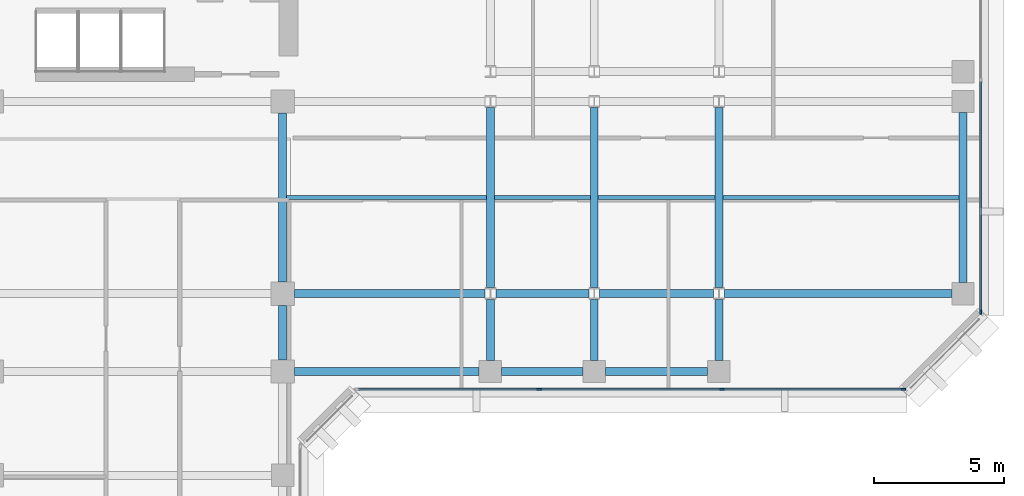
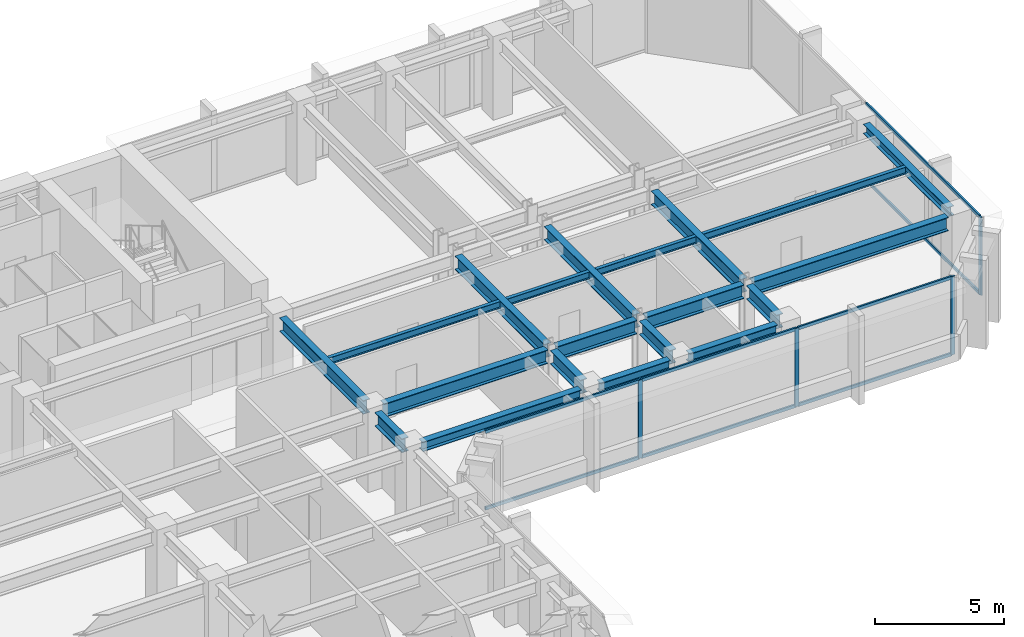
# One storey, part 3 of 12: 20 beams, 12 members, 2 elements without a shape of their own.
"""IFC4 building model written with IfcOpenShell, lengths in metres."""

from ifc_helpers import new_model, si_unit, direction, frame, origin, origin_2d, place, context, subcontext, project, spatial, rectangle, i_section, extrude, material, layer, layer_set, material_profile, profile_set, type_object, element, aggregate, save


model = new_model("IFC4")

# Units and contexts
model_context = context("Model", 3, precision=1e-05, world=origin(), true_north=direction((0.0, 1.0)))
body_context = subcontext(model_context, "Body", "Model", "MODEL_VIEW")
ifc_project = project(units=[si_unit("LENGTHUNIT", "METRE"), si_unit("AREAUNIT", "SQUARE_METRE"), si_unit("VOLUMEUNIT", "CUBIC_METRE"), si_unit("PLANEANGLEUNIT", "RADIAN"), si_unit("MASSUNIT", "GRAM", prefix="KILO")], contexts=[model_context])

# Site, building, storey
site_placement = place(None, origin())
site = spatial("IfcSite", under=ifc_project, at=site_placement, CompositionType="ELEMENT")
building_placement = place(site_placement, origin())
building = spatial("IfcBuilding", under=site, at=building_placement, Name="Kefirva Bronze Tower", CompositionType="ELEMENT")
storey_placement = place(building_placement, frame((0.0, 0.0, 126.389892578125)))
storey = spatial("IfcBuildingStorey", under=building, at=storey_placement, Name="L30", CompositionType="ELEMENT", Elevation=126.389892578125)

# Curtain wall, members
ifc_material_1 = material(Name="Bronze anodised aluminium", Category="aluminium")
ifc_layer = layer(ifc_material_1, 0.199951171875, Name="Bronze anodised aluminium")
ifc_layer_set = layer_set([ifc_layer], Name="Bronze anodised aluminium")
curtain_wall_type = type_object("IfcCurtainWallType", Name="Unitised Bronze Ribbon Curtain Wall Zone 2", PredefinedType="USERDEFINED", material=ifc_layer_set)
curtain_wall_1_placement = place(storey_placement, origin())
curtain_wall_1 = element("IfcCurtainWall", 1, at=curtain_wall_1_placement, inside=storey, type_object=curtain_wall_type, Name="L30 Curtain Wall 3", ObjectType="UNITISED CURTAIN WALL", PredefinedType="USERDEFINED")
ifc_material_profile_1 = material_profile(ifc_material_1, rectangle(XDim=0.074951171875, YDim=0.179931640625, at=origin_2d()), Name="ALU 75x180")
ifc_profile_set_1 = profile_set([ifc_material_profile_1], Name="Bronze anodised aluminium")
member_type_1 = type_object("IfcMemberType", Name="Bronze Mullion 75x180", PredefinedType="MULLION", material=ifc_profile_set_1)
member_1_placement = place(storey_placement, frame((33.0849609375, 22.1201171875, 0.0), z_axis=(0.0, 0.0, 1.0), x_axis=(0.0, 1.0, 0.0)))
member_1 = element("IfcMember", 2, at=member_1_placement, type_object=member_type_1, Name="CW-02 mullion 2", PredefinedType="MULLION", context=body_context, shape_type="SweptSolid", body=[
    extrude(rectangle(XDim=0.074951171875, YDim=0.179931640625, at=origin_2d()), origin(), (0.0, 0.0, 1.0), 3.710205078125),
])
member_2_placement = place(storey_placement, frame((40.114990234375, 22.1201171875, 0.0), z_axis=(0.0, 0.0, 1.0), x_axis=(0.0, 1.0, 0.0)))
member_2 = element("IfcMember", 3, at=member_2_placement, type_object=member_type_1, Name="CW-02 mullion 3", PredefinedType="MULLION", context=body_context, shape_type="SweptSolid", body=[
    extrude(rectangle(XDim=0.074951171875, YDim=0.179931640625, at=origin_2d()), origin(), (0.0, 0.0, 1.0), 3.710205078125),
])
member_3_placement = place(storey_placement, frame((47.107421875, 22.1201171875, 0.0), z_axis=(0.0, 0.0, 1.0), x_axis=(0.0, 1.0, 0.0)))
member_3 = element("IfcMember", 4, at=member_3_placement, type_object=member_type_1, Name="CW-02 mullion 4", PredefinedType="MULLION", context=body_context, shape_type="SweptSolid", body=[
    extrude(rectangle(XDim=0.074951171875, YDim=0.179931640625, at=origin_2d()), origin(), (0.0, 0.0, 1.0), 3.710205078125),
])

# Curtain wall, member
curtain_wall_2_placement = place(storey_placement, origin())
curtain_wall_2 = element("IfcCurtainWall", 5, at=curtain_wall_2_placement, inside=storey, type_object=curtain_wall_type, Name="L30 Curtain Wall 4", ObjectType="UNITISED CURTAIN WALL", PredefinedType="USERDEFINED")
member_4_placement = place(storey_placement, frame((50.080078125, 25.092529296875, 0.0), z_axis=(0.0, 0.0, 1.0), x_axis=(-1.0, 0.0, 0.0)))
member_4 = element("IfcMember", 6, at=member_4_placement, type_object=member_type_1, Name="CW-02 mullion 1", PredefinedType="MULLION", context=body_context, shape_type="SweptSolid", body=[
    extrude(rectangle(XDim=0.074951171875, YDim=0.179931640625, at=origin_2d()), origin(), (0.0, 0.0, 1.0), 3.710205078125),
])

# Member
ifc_material_profile_2 = material_profile(ifc_material_1, rectangle(XDim=0.074951171875, YDim=0.14990234375, at=origin_2d()), Name="ALU 75x150")
ifc_profile_set_2 = profile_set([ifc_material_profile_2], Name="Bronze anodised aluminium")
member_type_2 = type_object("IfcMemberType", Name="Bronze Transom 75x150", PredefinedType="USERDEFINED", material=ifc_profile_set_2)
member_5_placement = place(storey_placement, frame((26.1298828125, 22.1201171875, 0.03759765625), z_axis=(1.0, 0.0, 0.0), x_axis=(0.0, 1.0, 0.0)))
member_5 = element("IfcMember", 7, at=member_5_placement, type_object=member_type_2, Name="CW-02 transom 1.1", ObjectType="TRANSOM", PredefinedType="USERDEFINED", context=body_context, shape_type="SweptSolid", body=[
    extrude(rectangle(XDim=0.074951171875, YDim=0.14990234375, at=origin_2d()), origin(), (0.0, 0.0, 1.0), 6.917724609375),
])

member_6_placement = place(storey_placement, frame((26.1298828125, 22.1201171875, 3.672607421875), z_axis=(1.0, 0.0, 0.0), x_axis=(0.0, 1.0, 0.0)))
member_6 = element("IfcMember", 8, at=member_6_placement, type_object=member_type_2, Name="CW-02 transom 1.2", ObjectType="TRANSOM", PredefinedType="USERDEFINED", context=body_context, shape_type="SweptSolid", body=[
    extrude(rectangle(XDim=0.074951171875, YDim=0.14990234375, at=origin_2d()), origin(), (0.0, 0.0, 1.0), 6.917724609375),
])

member_7_placement = place(storey_placement, frame((33.12255859375, 22.1201171875, 0.03759765625), z_axis=(1.0, 0.0, 0.0), x_axis=(0.0, 1.0, 0.0)))
member_7 = element("IfcMember", 9, at=member_7_placement, type_object=member_type_2, Name="CW-02 transom 2.1", ObjectType="TRANSOM", PredefinedType="USERDEFINED", context=body_context, shape_type="SweptSolid", body=[
    extrude(rectangle(XDim=0.074951171875, YDim=0.14990234375, at=origin_2d()), origin(), (0.0, 0.0, 1.0), 6.954833984375),
])

member_8_placement = place(storey_placement, frame((33.12255859375, 22.1201171875, 3.672607421875), z_axis=(1.0, 0.0, 0.0), x_axis=(0.0, 1.0, 0.0)))
member_8 = element("IfcMember", 10, at=member_8_placement, type_object=member_type_2, Name="CW-02 transom 2.2", ObjectType="TRANSOM", PredefinedType="USERDEFINED", context=body_context, shape_type="SweptSolid", body=[
    extrude(rectangle(XDim=0.074951171875, YDim=0.14990234375, at=origin_2d()), origin(), (0.0, 0.0, 1.0), 6.954833984375),
])

member_9_placement = place(storey_placement, frame((40.152587890625, 22.1201171875, 0.03759765625), z_axis=(1.0, 0.0, 0.0), x_axis=(0.0, 1.0, 0.0)))
member_9 = element("IfcMember", 11, at=member_9_placement, type_object=member_type_2, Name="CW-02 transom 3.1", ObjectType="TRANSOM", PredefinedType="USERDEFINED", context=body_context, shape_type="SweptSolid", body=[
    extrude(rectangle(XDim=0.074951171875, YDim=0.14990234375, at=origin_2d()), origin(), (0.0, 0.0, 1.0), 6.91748046875),
])

member_10_placement = place(storey_placement, frame((40.152587890625, 22.1201171875, 3.672607421875), z_axis=(1.0, 0.0, 0.0), x_axis=(0.0, 1.0, 0.0)))
member_10 = element("IfcMember", 12, at=member_10_placement, type_object=member_type_2, Name="CW-02 transom 3.2", ObjectType="TRANSOM", PredefinedType="USERDEFINED", context=body_context, shape_type="SweptSolid", body=[
    extrude(rectangle(XDim=0.074951171875, YDim=0.14990234375, at=origin_2d()), origin(), (0.0, 0.0, 1.0), 6.91748046875),
])

aggregate(curtain_wall_1, [member_1, member_2, member_3, member_5, member_6, member_7, member_8, member_9, member_10])

member_11_placement = place(storey_placement, frame((50.080078125, 25.1298828125, 0.03759765625), z_axis=(0.0, 1.0, 0.0), x_axis=(-1.0, 0.0, 0.0)))
member_11 = element("IfcMember", 13, at=member_11_placement, type_object=member_type_2, Name="CW-02 transom 1.1", ObjectType="TRANSOM", PredefinedType="USERDEFINED", context=body_context, shape_type="SweptSolid", body=[
    extrude(rectangle(XDim=0.074951171875, YDim=0.14990234375, at=origin_2d()), origin(), (0.0, 0.0, 1.0), 8.83251953125),
])

member_12_placement = place(storey_placement, frame((50.080078125, 25.1298828125, 3.672607421875), z_axis=(0.0, 1.0, 0.0), x_axis=(-1.0, 0.0, 0.0)))
member_12 = element("IfcMember", 14, at=member_12_placement, type_object=member_type_2, Name="CW-02 transom 1.2", ObjectType="TRANSOM", PredefinedType="USERDEFINED", context=body_context, shape_type="SweptSolid", body=[
    extrude(rectangle(XDim=0.074951171875, YDim=0.14990234375, at=origin_2d()), origin(), (0.0, 0.0, 1.0), 8.83251953125),
])

aggregate(curtain_wall_2, [member_4, member_11, member_12])

# Beams
ifc_material_2 = material(Name="Steel S355", Category="steel")
ifc_material_profile_3 = material_profile(ifc_material_2, i_section(OverallWidth=0.159912109375, OverallDepth=0.330078125, WebThickness=0.007568359375, FlangeThickness=0.011474609375, at=origin_2d()), Name="IPE 330")
ifc_profile_set_3 = profile_set([ifc_material_profile_3], Name="Steel S355")
beam_type_1 = type_object("IfcBeamType", Name="Steel Floor Joist IPE 330", PredefinedType="JOIST", material=ifc_profile_set_3)
beam_1_placement = place(storey_placement, frame((23.35009765625, 29.5, 3.545166015625), z_axis=(1.0, 0.0, 0.0), x_axis=(0.0, 1.0, 0.0)))
element("IfcBeam", 15, at=beam_1_placement, inside=storey, type_object=beam_type_1, Name="L30 JST-L30-23-295", PredefinedType="JOIST", context=body_context, shape_type="SweptSolid", body=[
    extrude(i_section(OverallWidth=0.159912109375, OverallDepth=0.330078125, WebThickness=0.007568359375, FlangeThickness=0.011474609375, at=origin_2d()), origin(), (0.0, 0.0, 1.0), 7.699951171875),
])
beam_2_placement = place(storey_placement, frame((31.35009765625, 29.5, 3.545166015625), z_axis=(1.0, 0.0, 0.0), x_axis=(0.0, 1.0, 0.0)))
element("IfcBeam", 16, at=beam_2_placement, inside=storey, type_object=beam_type_1, Name="L30 JST-L30-31-295", PredefinedType="JOIST", context=body_context, shape_type="SweptSolid", body=[
    extrude(i_section(OverallWidth=0.159912109375, OverallDepth=0.330078125, WebThickness=0.007568359375, FlangeThickness=0.011474609375, at=origin_2d()), origin(), (0.0, 0.0, 1.0), 3.699951171875),
])
beam_3_placement = place(storey_placement, frame((35.35009765625, 29.5, 3.545166015625), z_axis=(1.0, 0.0, 0.0), x_axis=(0.0, 1.0, 0.0)))
element("IfcBeam", 17, at=beam_3_placement, inside=storey, type_object=beam_type_1, Name="L30 JST-L30-35-295", PredefinedType="JOIST", context=body_context, shape_type="SweptSolid", body=[
    extrude(i_section(OverallWidth=0.159912109375, OverallDepth=0.330078125, WebThickness=0.007568359375, FlangeThickness=0.011474609375, at=origin_2d()), origin(), (0.0, 0.0, 1.0), 4.5),
])
beam_4_placement = place(storey_placement, frame((40.14990234375, 29.5, 3.545166015625), z_axis=(1.0, 0.0, 0.0), x_axis=(0.0, 1.0, 0.0)))
element("IfcBeam", 18, at=beam_4_placement, inside=storey, type_object=beam_type_1, Name="L30 JST-L30-40-295", PredefinedType="JOIST", context=body_context, shape_type="SweptSolid", body=[
    extrude(i_section(OverallWidth=0.159912109375, OverallDepth=0.330078125, WebThickness=0.007568359375, FlangeThickness=0.011474609375, at=origin_2d()), origin(), (0.0, 0.0, 1.0), 9.10009765625),
])
ifc_material_profile_4 = material_profile(ifc_material_2, i_section(OverallWidth=0.300048828125, OverallDepth=0.64990234375, WebThickness=0.01611328125, FlangeThickness=0.031005859375, at=origin_2d()), Name="HEB 650")
ifc_profile_set_4 = profile_set([ifc_material_profile_4], Name="Steel S355")
beam_type_2 = type_object("IfcBeamType", Name="Steel Girder HEB 650", PredefinedType="USERDEFINED", material=ifc_profile_set_4)
beam_5_placement = place(storey_placement, frame((23.64990234375, 25.800048828125, 3.385009765625), z_axis=(1.0, 0.0, 0.0), x_axis=(0.0, 1.0, 0.0)))
element("IfcBeam", 19, at=beam_5_placement, inside=storey, type_object=beam_type_2, Name="L30 BM-L30-EW-23-258", ObjectType="GIRDER", PredefinedType="USERDEFINED", context=body_context, shape_type="SweptSolid", body=[
    extrude(i_section(OverallWidth=0.300048828125, OverallDepth=0.64990234375, WebThickness=0.01611328125, FlangeThickness=0.031005859375, at=origin_2d()), origin(), (0.0, 0.0, 1.0), 7.341064453125),
])
beam_6_placement = place(storey_placement, frame((31.408935546875, 25.800048828125, 3.385009765625), z_axis=(1.0, 0.0, 0.0), x_axis=(0.0, 1.0, 0.0)))
element("IfcBeam", 20, at=beam_6_placement, inside=storey, type_object=beam_type_2, Name="L30 BM-L30-EW-31-258", ObjectType="GIRDER", PredefinedType="USERDEFINED", context=body_context, shape_type="SweptSolid", body=[
    extrude(i_section(OverallWidth=0.300048828125, OverallDepth=0.64990234375, WebThickness=0.01611328125, FlangeThickness=0.031005859375, at=origin_2d()), origin(), (0.0, 0.0, 1.0), 3.58203125),
])
beam_7_placement = place(storey_placement, frame((35.408935546875, 25.800048828125, 3.385009765625), z_axis=(1.0, 0.0, 0.0), x_axis=(0.0, 1.0, 0.0)))
element("IfcBeam", 21, at=beam_7_placement, inside=storey, type_object=beam_type_2, Name="L30 BM-L30-EW-35-258", ObjectType="GIRDER", PredefinedType="USERDEFINED", context=body_context, shape_type="SweptSolid", body=[
    extrude(i_section(OverallWidth=0.300048828125, OverallDepth=0.64990234375, WebThickness=0.01611328125, FlangeThickness=0.031005859375, at=origin_2d()), origin(), (0.0, 0.0, 1.0), 4.382080078125),
])
beam_8_placement = place(storey_placement, frame((40.208984375, 25.800048828125, 3.385009765625), z_axis=(1.0, 0.0, 0.0), x_axis=(0.0, 1.0, 0.0)))
element("IfcBeam", 22, at=beam_8_placement, inside=storey, type_object=beam_type_2, Name="L30 BM-L30-EW-40-258", ObjectType="GIRDER", PredefinedType="USERDEFINED", context=body_context, shape_type="SweptSolid", body=[
    extrude(i_section(OverallWidth=0.300048828125, OverallDepth=0.64990234375, WebThickness=0.01611328125, FlangeThickness=0.031005859375, at=origin_2d()), origin(), (0.0, 0.0, 1.0), 8.760986328125),
])
beam_9_placement = place(storey_placement, frame((23.199951171875, 23.25, 3.385009765625), z_axis=(0.0, 1.0, 0.0), x_axis=(-1.0, 0.0, 0.0)))
element("IfcBeam", 23, at=beam_9_placement, inside=storey, type_object=beam_type_2, Name="L30 BM-L30-NS-232-22", ObjectType="GIRDER", PredefinedType="USERDEFINED", context=body_context, shape_type="SweptSolid", body=[
    extrude(i_section(OverallWidth=0.300048828125, OverallDepth=0.64990234375, WebThickness=0.01611328125, FlangeThickness=0.031005859375, at=origin_2d()), origin(), (0.0, 0.0, 1.0), 2.10009765625),
])
beam_10_placement = place(storey_placement, frame((23.199951171875, 26.25, 3.385009765625), z_axis=(0.0, 1.0, 0.0), x_axis=(-1.0, 0.0, 0.0)))
element("IfcBeam", 24, at=beam_10_placement, inside=storey, type_object=beam_type_2, Name="L30 BM-L30-NS-232-25", ObjectType="GIRDER", PredefinedType="USERDEFINED", context=body_context, shape_type="SweptSolid", body=[
    extrude(i_section(OverallWidth=0.300048828125, OverallDepth=0.64990234375, WebThickness=0.01611328125, FlangeThickness=0.031005859375, at=origin_2d()), origin(), (0.0, 0.0, 1.0), 6.5),
])
beam_11_placement = place(storey_placement, frame((31.199951171875, 23.22998046875, 3.385009765625), z_axis=(0.0, 1.0, 0.0), x_axis=(-1.0, 0.0, 0.0)))
element("IfcBeam", 25, at=beam_11_placement, inside=storey, type_object=beam_type_2, Name="L30 BM-L30-NS-312-22", ObjectType="GIRDER", PredefinedType="USERDEFINED", context=body_context, shape_type="SweptSolid", body=[
    extrude(i_section(OverallWidth=0.300048828125, OverallDepth=0.64990234375, WebThickness=0.01611328125, FlangeThickness=0.031005859375, at=origin_2d()), origin(), (0.0, 0.0, 1.0), 2.342529296875),
])
beam_12_placement = place(storey_placement, frame((31.199951171875, 26.027587890625, 3.385009765625), z_axis=(0.0, 1.0, 0.0), x_axis=(-1.0, 0.0, 0.0)))
element("IfcBeam", 26, at=beam_12_placement, inside=storey, type_object=beam_type_2, Name="L30 BM-L30-NS-312-25", ObjectType="GIRDER", PredefinedType="USERDEFINED", context=body_context, shape_type="SweptSolid", body=[
    extrude(i_section(OverallWidth=0.300048828125, OverallDepth=0.64990234375, WebThickness=0.01611328125, FlangeThickness=0.031005859375, at=origin_2d()), origin(), (0.0, 0.0, 1.0), 6.94482421875),
])
beam_13_placement = place(storey_placement, frame((35.199951171875, 23.22998046875, 3.385009765625), z_axis=(0.0, 1.0, 0.0), x_axis=(-1.0, 0.0, 0.0)))
element("IfcBeam", 27, at=beam_13_placement, inside=storey, type_object=beam_type_2, Name="L30 BM-L30-NS-352-22", ObjectType="GIRDER", PredefinedType="USERDEFINED", context=body_context, shape_type="SweptSolid", body=[
    extrude(i_section(OverallWidth=0.300048828125, OverallDepth=0.64990234375, WebThickness=0.01611328125, FlangeThickness=0.031005859375, at=origin_2d()), origin(), (0.0, 0.0, 1.0), 2.342529296875),
])
beam_14_placement = place(storey_placement, frame((35.199951171875, 26.027587890625, 3.385009765625), z_axis=(0.0, 1.0, 0.0), x_axis=(-1.0, 0.0, 0.0)))
element("IfcBeam", 28, at=beam_14_placement, inside=storey, type_object=beam_type_2, Name="L30 BM-L30-NS-352-25", ObjectType="GIRDER", PredefinedType="USERDEFINED", context=body_context, shape_type="SweptSolid", body=[
    extrude(i_section(OverallWidth=0.300048828125, OverallDepth=0.64990234375, WebThickness=0.01611328125, FlangeThickness=0.031005859375, at=origin_2d()), origin(), (0.0, 0.0, 1.0), 6.94482421875),
])
beam_15_placement = place(storey_placement, frame((40.0, 23.22998046875, 3.385009765625), z_axis=(0.0, 1.0, 0.0), x_axis=(-1.0, 0.0, 0.0)))
element("IfcBeam", 29, at=beam_15_placement, inside=storey, type_object=beam_type_2, Name="L30 BM-L30-NS-400-22", ObjectType="GIRDER", PredefinedType="USERDEFINED", context=body_context, shape_type="SweptSolid", body=[
    extrude(i_section(OverallWidth=0.300048828125, OverallDepth=0.64990234375, WebThickness=0.01611328125, FlangeThickness=0.031005859375, at=origin_2d()), origin(), (0.0, 0.0, 1.0), 2.342529296875),
])
beam_16_placement = place(storey_placement, frame((40.0, 26.027587890625, 3.385009765625), z_axis=(0.0, 1.0, 0.0), x_axis=(-1.0, 0.0, 0.0)))
element("IfcBeam", 30, at=beam_16_placement, inside=storey, type_object=beam_type_2, Name="L30 BM-L30-NS-400-25", ObjectType="GIRDER", PredefinedType="USERDEFINED", context=body_context, shape_type="SweptSolid", body=[
    extrude(i_section(OverallWidth=0.300048828125, OverallDepth=0.64990234375, WebThickness=0.01611328125, FlangeThickness=0.031005859375, at=origin_2d()), origin(), (0.0, 0.0, 1.0), 6.94482421875),
])
ifc_material_profile_5 = material_profile(ifc_material_2, i_section(OverallWidth=0.300048828125, OverallDepth=0.449951171875, WebThickness=0.013916015625, FlangeThickness=0.02587890625, at=origin_2d()), Name="HEB 450")
ifc_profile_set_5 = profile_set([ifc_material_profile_5], Name="Steel S355")
beam_type_3 = type_object("IfcBeamType", Name="Steel Spandrel HEB 450 Ext", PredefinedType="SPANDREL", material=ifc_profile_set_5)
beam_17_placement = place(storey_placement, frame((23.64990234375, 22.800048828125, 3.485107421875), z_axis=(1.0, 0.0, 0.0), x_axis=(0.0, 1.0, 0.0)))
element("IfcBeam", 31, at=beam_17_placement, inside=storey, type_object=beam_type_3, Name="L30 BM-L30-EW-23-228", PredefinedType="SPANDREL", context=body_context, shape_type="SweptSolid", body=[
    extrude(i_section(OverallWidth=0.300048828125, OverallDepth=0.449951171875, WebThickness=0.013916015625, FlangeThickness=0.02587890625, at=origin_2d()), origin(), (0.0, 0.0, 1.0), 7.1201171875),
])
beam_18_placement = place(storey_placement, frame((31.6298828125, 22.800048828125, 3.485107421875), z_axis=(1.0, 0.0, 0.0), x_axis=(0.0, 1.0, 0.0)))
element("IfcBeam", 32, at=beam_18_placement, inside=storey, type_object=beam_type_3, Name="L30 BM-L30-EW-31-228", PredefinedType="SPANDREL", context=body_context, shape_type="SweptSolid", body=[
    extrude(i_section(OverallWidth=0.300048828125, OverallDepth=0.449951171875, WebThickness=0.013916015625, FlangeThickness=0.02587890625, at=origin_2d()), origin(), (0.0, 0.0, 1.0), 3.14013671875),
])
beam_19_placement = place(storey_placement, frame((35.6298828125, 22.800048828125, 3.485107421875), z_axis=(1.0, 0.0, 0.0), x_axis=(0.0, 1.0, 0.0)))
element("IfcBeam", 33, at=beam_19_placement, inside=storey, type_object=beam_type_3, Name="L30 BM-L30-EW-35-228", PredefinedType="SPANDREL", context=body_context, shape_type="SweptSolid", body=[
    extrude(i_section(OverallWidth=0.300048828125, OverallDepth=0.449951171875, WebThickness=0.013916015625, FlangeThickness=0.02587890625, at=origin_2d()), origin(), (0.0, 0.0, 1.0), 3.940185546875),
])
beam_20_placement = place(storey_placement, frame((49.39990234375, 26.22998046875, 3.485107421875), z_axis=(0.0, 1.0, 0.0), x_axis=(-1.0, 0.0, 0.0)))
element("IfcBeam", 34, at=beam_20_placement, inside=storey, type_object=beam_type_3, Name="L30 BM-L30-NS-494-25", PredefinedType="SPANDREL", context=body_context, shape_type="SweptSolid", body=[
    extrude(i_section(OverallWidth=0.300048828125, OverallDepth=0.449951171875, WebThickness=0.013916015625, FlangeThickness=0.02587890625, at=origin_2d()), origin(), (0.0, 0.0, 1.0), 6.5400390625),
])

save(model, "model.ifc")
